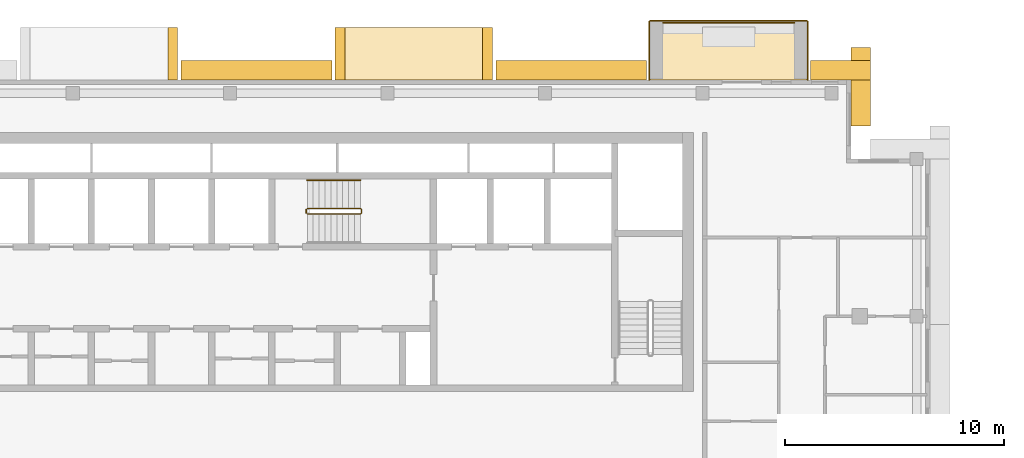
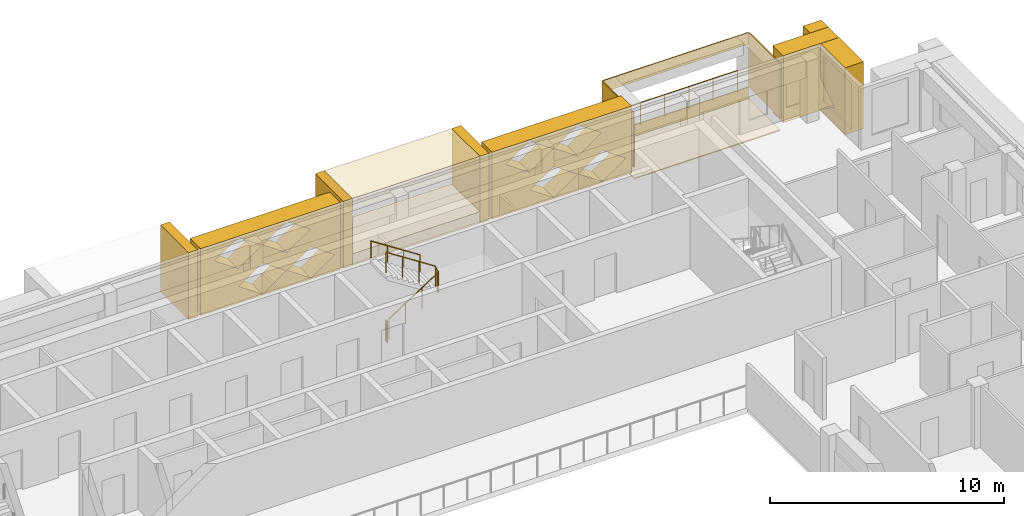
# One storey, part 17 of 18: 14 coverings, 4 railings.
"""IFC4 building model written with IfcOpenShell, lengths in metres."""

from ifc_helpers import new_model, si_unit, direction, frame, origin, origin_2d, place, context, subcontext, project, spatial, polyline, circle, outline, extrude, material, layer, layer_set, type_object, element, save


model = new_model("IFC4")

# Units and contexts
model_context = context("Model", 3, precision=1e-05, world=origin(), true_north=direction((0.0, 1.0)))
body_context = subcontext(model_context, "Body", "Model", "MODEL_VIEW")
ifc_project = project(units=[si_unit("LENGTHUNIT", "METRE"), si_unit("AREAUNIT", "SQUARE_METRE"), si_unit("VOLUMEUNIT", "CUBIC_METRE"), si_unit("PLANEANGLEUNIT", "RADIAN"), si_unit("MASSUNIT", "GRAM", prefix="KILO")], contexts=[model_context])

# Site, building, storey
site_placement = place(None, origin())
site = spatial("IfcSite", under=ifc_project, at=site_placement, CompositionType="ELEMENT")
building_placement = place(site_placement, origin())
building = spatial("IfcBuilding", under=site, at=building_placement, Name="Saffron Iwan Residences", CompositionType="ELEMENT")
storey_placement = place(building_placement, frame((0.0, 0.0, 260.5)))
storey = spatial("IfcBuildingStorey", under=building, at=storey_placement, Name="L70", CompositionType="ELEMENT", Elevation=260.5)

# Railing
ifc_material_1 = material(Name="Stainless steel 316", Category="steel")
railing_type_1 = type_object("IfcRailingType", Name="BALCONY GUARD 1150", PredefinedType="GUARDRAIL", material=ifc_material_1)
railing_1_placement = place(storey_placement, frame((76.199951171875, 83.02490234375, 0.0)))
element("IfcRailing", 1, at=railing_1_placement, inside=storey, type_object=railing_type_1, Name="Balcony guard L70 F5-0", PredefinedType="GUARDRAIL", context=body_context, shape_type="SweptSolid", body=[
    extrude(circle(Radius=0.02392578125, at=origin_2d()), frame((0.0, 0.0, 1.1259765625), z_axis=(-1.0, 0.0, 0.0), x_axis=(0.0, -1.0, 0.0)), (0.0, 0.0, 1.0), 6.0),
    extrude(circle(Radius=0.02099609375, at=origin_2d()), origin(), (0.0, 0.0, 1.0), 1.101806640625),
    extrude(circle(Radius=0.02099609375, at=origin_2d()), frame((-1.199951171875, 0.0, 0.0)), (0.0, 0.0, 1.0), 1.101806640625),
    extrude(circle(Radius=0.02099609375, at=origin_2d()), frame((-2.39990234375, 0.0, 0.0)), (0.0, 0.0, 1.0), 1.101806640625),
    extrude(circle(Radius=0.02099609375, at=origin_2d()), frame((-3.60009765625, 0.0, 0.0)), (0.0, 0.0, 1.0), 1.101806640625),
    extrude(circle(Radius=0.02099609375, at=origin_2d()), frame((-4.800048828125, 0.0, 0.0)), (0.0, 0.0, 1.0), 1.101806640625),
    extrude(circle(Radius=0.02099609375, at=origin_2d()), frame((-6.0, 0.0, 0.0)), (0.0, 0.0, 1.0), 1.101806640625),
])

# Coverings
ifc_material_2 = material(Name="Precast concrete C40/50 white painted", Category="concrete")
ifc_layer = layer(ifc_material_2, 0.050048828125)
ifc_layer_set = layer_set([ifc_layer], Name="Precast concrete C40/50 white painted")
covering_type_1 = type_object("IfcCoveringType", Name="FRAME SKIN PRECAST WHITE 50", PredefinedType="CLADDING", material=ifc_layer_set)
for number, where, name in (
    (2, (0.0, 0.0, -0.60009765625), "Frame skin slab edge L70 F5-0"),
    (3, (0.0, 0.0, 2.25), "Frame skin fascia L70 F5-0"),
):
    element("IfcCovering", number, at=place(storey_placement, frame(where)), inside=storey, type_object=covering_type_1, Name=name, PredefinedType="CLADDING", context=body_context, shape_type="SweptSolid", body=[
        extrude(outline(polyline([(76.800048828125, 83.14990234375), (69.60009765625, 83.14990234375), (69.60009765625, 83.10009765625), (76.800048828125, 83.10009765625), (76.800048828125, 83.14990234375)])), origin(), (0.0, 0.0, 1.0), 0.60009765625),
    ])
covering_1_placement = place(storey_placement, frame((0.0, 0.0, -0.64990234375)))
element("IfcCovering", 4, at=covering_1_placement, inside=storey, type_object=covering_type_1, Name="Frame skin soffit L70 F5-0", PredefinedType="CLADDING", context=body_context, shape_type="SweptSolid", body=[
    extrude(outline(polyline([(76.800048828125, 83.10009765625), (69.60009765625, 83.10009765625), (69.60009765625, 80.39990234375), (76.800048828125, 80.39990234375), (76.800048828125, 83.10009765625)])), origin(), (0.0, 0.0, 1.0), 0.0498046875),
])
covering_2_placement = place(storey_placement, origin())
element("IfcCovering", 5, at=covering_2_placement, inside=storey, type_object=covering_type_1, Name="Frame skin fin L70 F5-0a", PredefinedType="CLADDING", context=body_context, shape_type="SweptSolid", body=[
    extrude(outline(polyline([(76.85009765625, 83.10009765625), (76.800048828125, 83.10009765625), (76.800048828125, 80.39990234375), (76.85009765625, 80.39990234375), (76.85009765625, 83.10009765625)])), origin(), (0.0, 0.0, 1.0), 2.85009765625),
])
covering_3_placement = place(storey_placement, origin())
element("IfcCovering", 6, at=covering_3_placement, inside=storey, type_object=covering_type_1, Name="Frame skin fin L70 F5-0b", PredefinedType="CLADDING", context=body_context, shape_type="SweptSolid", body=[
    extrude(outline(polyline([(69.60009765625, 83.10009765625), (69.550048828125, 83.10009765625), (69.550048828125, 80.39990234375), (69.60009765625, 80.39990234375), (69.60009765625, 83.10009765625)])), origin(), (0.0, 0.0, 1.0), 2.85009765625),
])
ifc_material_3 = material(Name="Precast concrete C40/50", Category="concrete")
covering_type_2 = type_object("IfcCoveringType", Name="OUTER SKIN LATTICE SCREEN", PredefinedType="CLADDING", material=ifc_material_3)
covering_4_placement = place(storey_placement, frame((78.800048828125, 78.300048828125, -0.280029296875), z_axis=(1.0, 0.0, 0.0), x_axis=(0.0, 1.0, 0.0)))
element("IfcCovering", 7, at=covering_4_placement, inside=storey, type_object=covering_type_2, Name="OUTER SKIN lattice screen L70 F4.0", PredefinedType="CLADDING", context=body_context, shape_type="SweptSolid", body=[
    extrude(outline(polyline([(0.0, 0.0), (3.60009765625, 0.0), (3.60009765625, 3.5), (0.0, 3.5), (0.0, 0.0)]), holes=[polyline([(0.919921875, 0.875), (2.10009765625, 0.06005859375), (3.280029296875, 0.875), (2.10009765625, 1.68994140625), (0.919921875, 0.875)])]), origin(), (0.0, 0.0, 1.0), 0.89990234375),
])
covering_5_placement = place(storey_placement, frame((79.699951171875, 80.39990234375, -0.280029296875), z_axis=(0.0, 1.0, 0.0), x_axis=(-1.0, 0.0, 0.0)))
element("IfcCovering", 8, at=covering_5_placement, inside=storey, type_object=covering_type_2, Name="OUTER SKIN lattice screen L70 F5.0", PredefinedType="CLADDING", context=body_context, shape_type="SweptSolid", body=[
    extrude(outline(polyline([(0.0, 0.0), (2.75, 0.0), (2.75, 3.5), (0.0, 3.5), (0.0, 0.0)])), origin(), (0.0, 0.0, 1.0), 0.900146484375),
])
for number, where, z_axis, x_axis, name in (
    (9, (69.449951171875, 80.39990234375, -0.280029296875), (0.0, 1.0, 0.0), (-1.0, 0.0, 0.0), "OUTER SKIN lattice screen L70 F5.1"),
    (10, (55.050048828125, 80.39990234375, -0.280029296875), (0.0, 1.0, 0.0), (-1.0, 0.0, 0.0), "OUTER SKIN lattice screen L70 F5.2"),
):
    element("IfcCovering", number, at=place(storey_placement, frame(where, z_axis=z_axis, x_axis=x_axis)), inside=storey, type_object=covering_type_2, Name=name, PredefinedType="CLADDING", context=body_context, shape_type="SweptSolid", body=[
        extrude(outline(polyline([(0.0, 0.0), (6.89990234375, 0.0), (6.89990234375, 3.5), (0.0, 3.5), (0.0, 0.0)]), holes=[polyline([(0.27001953125, 0.875), (1.449951171875, 0.06005859375), (2.6298828125, 0.875), (1.449951171875, 1.68994140625), (0.27001953125, 0.875)]), polyline([(2.669921875, 0.875), (3.85009765625, 0.06005859375), (5.030029296875, 0.875), (3.85009765625, 1.68994140625), (2.669921875, 0.875)]), polyline([(1.469970703125, 2.625), (2.64990234375, 1.81005859375), (3.830078125, 2.625), (2.64990234375, 3.43994140625), (1.469970703125, 2.625)]), polyline([(3.8701171875, 2.625), (5.050048828125, 1.81005859375), (6.22998046875, 2.625), (5.050048828125, 3.43994140625), (3.8701171875, 2.625)])]), origin(), (0.0, 0.0, 1.0), 0.900146484375),
    ])

# Railings
ifc_material_4 = material(Name="Steel S355", Category="steel")
railing_type_2 = type_object("IfcRailingType", Name="Stair guard 1100", PredefinedType="GUARDRAIL", material=ifc_material_4)
railing_2_placement = place(storey_placement, frame((53.925048828125, 74.27490234375, 0.175048828125)))
element("IfcRailing", 11, at=railing_2_placement, inside=storey, type_object=railing_type_2, Name="L70 ST-C stair guard 1", PredefinedType="GUARDRAIL", context=body_context, shape_type="SweptSolid", body=[
    extrude(circle(Radius=0.02392578125, at=origin_2d()), frame((0.0, 0.0, 1.076171875), z_axis=(0.839153699163, 0.0, 0.543894354798), x_axis=(0.0, 1.0, 0.0)), (0.0, 0.0, 1.0), 2.895751953125),
    extrude(circle(Radius=0.02392578125, at=origin_2d()), frame((2.429931640625, 0.0, 2.65087890625), z_axis=(0.707106781187, 0.707106781187, 0.0), x_axis=(-0.707106781187, 0.707106781187, 0.0)), (0.0, 0.0, 1.0), 0.07080078125),
    extrude(circle(Radius=0.02392578125, at=origin_2d()), frame((2.47998046875, 0.050048828125, 2.65087890625), z_axis=(0.0, 1.0, 0.0), x_axis=(-1.0, 0.0, 0.0)), (0.0, 0.0, 1.0), 0.150146484375),
    extrude(circle(Radius=0.02392578125, at=origin_2d()), frame((2.47998046875, 0.2001953125, 2.65087890625), z_axis=(-0.265155923931, 0.263862480399, 0.927399011991), x_axis=(-0.705375805398, -0.708833529934, 0.0)), (0.0, 0.0, 1.0), 0.188720703125),
    extrude(circle(Radius=0.02392578125, at=origin_2d()), frame((2.429931640625, 0.25, 2.826171875), z_axis=(-0.839153699163, 0.0, 0.543894354798), x_axis=(0.0, -1.0, 0.0)), (0.0, 0.0, 1.0), 2.895751953125),
    extrude(circle(Radius=0.02099609375, at=origin_2d()), origin(), (0.0, 0.0, 1.0), 1.052001953125),
    extrude(circle(Radius=0.02099609375, at=origin_2d()), frame((0.81005859375, 0.0, 0.52490234375)), (0.0, 0.0, 1.0), 1.052001953125),
    extrude(circle(Radius=0.02099609375, at=origin_2d()), frame((1.619873046875, 0.0, 1.050048828125)), (0.0, 0.0, 1.0), 1.052001953125),
    extrude(circle(Radius=0.02099609375, at=origin_2d()), frame((2.429931640625, 0.0, 1.574951171875)), (0.0, 0.0, 1.0), 1.052001953125),
    extrude(circle(Radius=0.02099609375, at=origin_2d()), frame((2.47998046875, 0.050048828125, 1.574951171875)), (0.0, 0.0, 1.0), 1.052001953125),
    extrude(circle(Radius=0.02099609375, at=origin_2d()), frame((2.47998046875, 0.2001953125, 1.574951171875)), (0.0, 0.0, 1.0), 1.052001953125),
    extrude(circle(Radius=0.02099609375, at=origin_2d()), frame((2.429931640625, 0.25, 1.75)), (0.0, 0.0, 1.0), 1.052001953125),
    extrude(circle(Radius=0.02099609375, at=origin_2d()), frame((1.619873046875, 0.25, 2.27490234375)), (0.0, 0.0, 1.0), 1.052001953125),
    extrude(circle(Radius=0.02099609375, at=origin_2d()), frame((0.81005859375, 0.25, 2.800048828125)), (0.0, 0.0, 1.0), 1.052001953125),
    extrude(circle(Radius=0.02099609375, at=origin_2d()), frame((0.0, 0.25, 3.324951171875)), (0.0, 0.0, 1.0), 1.052001953125),
])
railing_3_placement = place(storey_placement, frame((53.875, 74.324951171875, 0.0)))
element("IfcRailing", 12, at=railing_3_placement, inside=storey, type_object=railing_type_2, Name="L70 ST-C stair guard 2", PredefinedType="GUARDRAIL", context=body_context, shape_type="SweptSolid", body=[
    extrude(circle(Radius=0.02392578125, at=origin_2d()), frame((0.0, 0.0, 1.076171875), z_axis=(0.0, 1.0, 0.0), x_axis=(-1.0, 0.0, 0.0)), (0.0, 0.0, 1.0), 0.150146484375),
    extrude(circle(Radius=0.02099609375, at=origin_2d()), origin(), (0.0, 0.0, 1.0), 1.052001953125),
    extrude(circle(Radius=0.02099609375, at=origin_2d()), frame((0.0, 0.150146484375, 0.0)), (0.0, 0.0, 1.0), 1.052001953125),
])
railing_type_3 = type_object("IfcRailingType", Name="Stair handrail 900", PredefinedType="HANDRAIL", material=ifc_material_1)
railing_4_placement = place(storey_placement, frame((56.35498046875, 75.824951171875, 1.925048828125)))
element("IfcRailing", 13, at=railing_4_placement, inside=storey, type_object=railing_type_3, Name="L70 ST-C stair handrail 2", PredefinedType="HANDRAIL", context=body_context, shape_type="SweptSolid", body=[
    extrude(circle(Radius=0.02392578125, at=origin_2d()), frame((0.0, 0.0, 0.8759765625), z_axis=(-0.839153699163, 0.0, 0.543894354798), x_axis=(0.0, -1.0, 0.0)), (0.0, 0.0, 1.0), 2.895751953125),
    extrude(circle(Radius=0.02099609375, at=origin_2d()), origin(), (0.0, 0.0, 1.0), 0.851806640625),
    extrude(circle(Radius=0.02099609375, at=origin_2d()), frame((-0.81005859375, 0.0, 0.52490234375)), (0.0, 0.0, 1.0), 0.851806640625),
    extrude(circle(Radius=0.02099609375, at=origin_2d()), frame((-1.619873046875, 0.0, 1.050048828125)), (0.0, 0.0, 1.0), 0.851806640625),
    extrude(circle(Radius=0.02099609375, at=origin_2d()), frame((-2.429931640625, 0.0, 1.574951171875)), (0.0, 0.0, 1.0), 0.851806640625),
])

# Coverings
covering_type_3 = type_object("IfcCoveringType", Name="WHITE SUN FRAME PRECAST", PredefinedType="CLADDING", material=ifc_material_2)
for number, where, z_axis, x_axis, name in (
    (14, (62.39990234375, 80.39990234375, -0.280029296875), (0.0, 1.0, 0.0), (-1.0, 0.0, 0.0), "Sun frame L70 F5 16.4a"),
    (15, (55.64990234375, 80.39990234375, -0.280029296875), (0.0, 1.0, 0.0), (-1.0, 0.0, 0.0), "Sun frame L70 F5 16.4b"),
):
    element("IfcCovering", number, at=place(storey_placement, frame(where, z_axis=z_axis, x_axis=x_axis)), inside=storey, type_object=covering_type_3, Name=name, PredefinedType="CLADDING", context=body_context, shape_type="SweptSolid", body=[
        extrude(outline(polyline([(0.0, 0.0), (0.449951171875, 0.0), (0.449951171875, 3.5), (0.0, 3.5), (0.0, 0.0)])), origin(), (0.0, 0.0, 1.0), 2.400146484375),
    ])
for number, where, z_axis, x_axis, name in (
    (16, (61.949951171875, 80.39990234375, 2.6201171875), (0.0, 1.0, 0.0), (-1.0, 0.0, 0.0), "Sun frame L70 F5 16.4h"),
    (17, (61.949951171875, 80.39990234375, -0.280029296875), (0.0, 1.0, 0.0), (-1.0, 0.0, 0.0), "Sun frame L70 F5 16.4s"),
):
    element("IfcCovering", number, at=place(storey_placement, frame(where, z_axis=z_axis, x_axis=x_axis)), inside=storey, type_object=covering_type_3, Name=name, PredefinedType="CLADDING", context=body_context, shape_type="SweptSolid", body=[
        extrude(outline(polyline([(0.0, 0.0), (6.300048828125, 0.0), (6.300048828125, 0.60009765625), (0.0, 0.60009765625), (0.0, 0.0)])), origin(), (0.0, 0.0, 1.0), 2.400146484375),
    ])
covering_6_placement = place(storey_placement, frame((48.0, 80.39990234375, -0.280029296875), z_axis=(0.0, 1.0, 0.0), x_axis=(-1.0, 0.0, 0.0)))
element("IfcCovering", 18, at=covering_6_placement, inside=storey, type_object=covering_type_3, Name="Sun frame L70 F5 30.8a", PredefinedType="CLADDING", context=body_context, shape_type="SweptSolid", body=[
    extrude(outline(polyline([(0.0, 0.0), (0.449951171875, 0.0), (0.449951171875, 3.5), (0.0, 3.5), (0.0, 0.0)])), origin(), (0.0, 0.0, 1.0), 2.400146484375),
])

save(model, "model.ifc")
